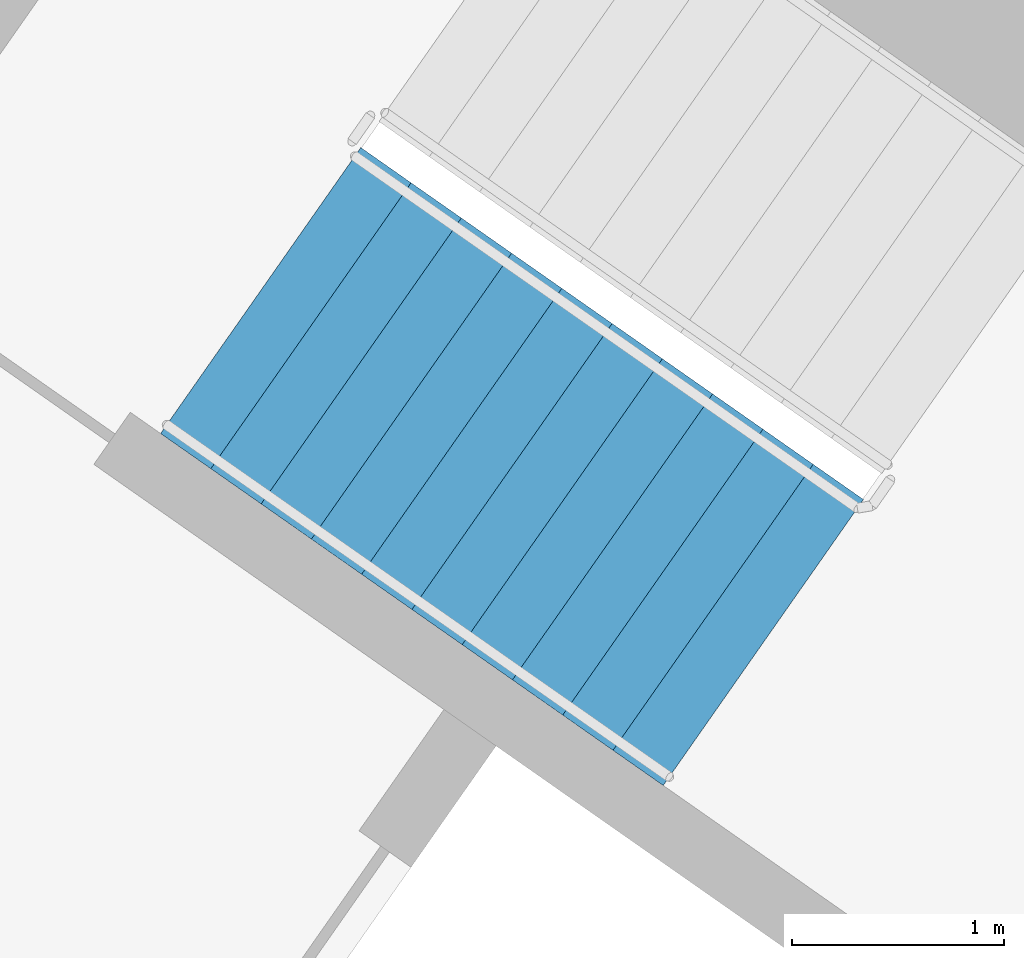
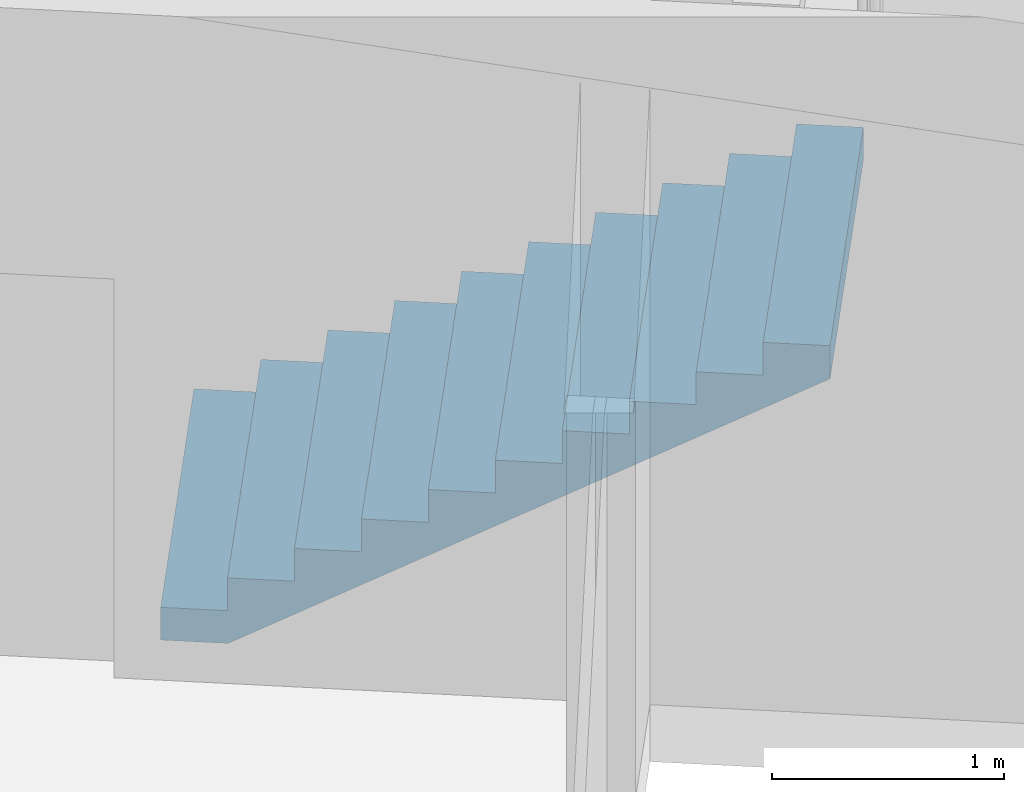
# One storey, part 12 of 30: 1 stair flight, 1 element without a shape of its own.
"""IFC4 building model written with IfcOpenShell, lengths in metres."""

from ifc_helpers import new_model, si_unit, direction, frame, origin, place, context, subcontext, project, spatial, faceted_brep, material, type_object, element, aggregate, save


model = new_model("IFC4")

# Units and contexts
model_context = context("Model", 3, precision=1e-05, world=origin(), true_north=direction((0.0, 1.0)))
body_context = subcontext(model_context, "Body", "Model", "MODEL_VIEW")
ifc_project = project(units=[si_unit("LENGTHUNIT", "METRE"), si_unit("AREAUNIT", "SQUARE_METRE"), si_unit("VOLUMEUNIT", "CUBIC_METRE"), si_unit("PLANEANGLEUNIT", "RADIAN"), si_unit("MASSUNIT", "GRAM", prefix="KILO")], contexts=[model_context])

# Site, building, storey
site_placement = place(None, origin())
site = spatial("IfcSite", under=ifc_project, at=site_placement, CompositionType="ELEMENT")
building_placement = place(site_placement, origin())
building = spatial("IfcBuilding", under=site, at=building_placement, Name="Qamariyya Broadcast Tower", CompositionType="ELEMENT")
storey_placement = place(building_placement, frame((0.0, 0.0, 117.699951171875)))
storey = spatial("IfcBuildingStorey", under=building, at=storey_placement, Name="L26", CompositionType="ELEMENT", Elevation=117.699951171875)

# Stair, stair flight
ifc_material = material(Name="Concrete C50/60", Category="concrete")
stair_type = type_object("IfcStairType", Name="Exit stair 22 risers of 173 mm", PredefinedType="HALF_TURN_STAIR", material=ifc_material)
stair_placement = place(storey_placement, origin())
stair = element("IfcStair", 1, at=stair_placement, inside=storey, type_object=stair_type, Name="L26 Stair W2", PredefinedType="HALF_TURN_STAIR")
stair_flight_type = type_object("IfcStairFlightType", Name="Exit stair flight 11 risers of 173 mm", PredefinedType="STRAIGHT", material=ifc_material)
stair_flight_placement = place(storey_placement, frame((-41.59130859375, -49.15966796875, 0.0), z_axis=(0.0, 0.0, 1.0), x_axis=(0.819152044289, -0.573576436351, 0.0)))
stair_flight = element("IfcStairFlight", 2, at=stair_flight_placement, type_object=stair_flight_type, Name="ST-W2 flight 1", NumberOfRisers=11, NumberOfTreads=10, PredefinedType="STRAIGHT", RiserHeight=0.172727273, TreadLength=0.29, context=body_context, shape_type="Brep", body=[
    faceted_brep([(0.0, 0.824951171875, 0.0), (0.0, 0.824951171875, 0.172607421875), (0.2900390625, 0.824951171875, 0.172607421875), (0.2900390625, 0.824951171875, 0.345458984375), (0.580078125, 0.824951171875, 0.345458984375), (0.580078125, 0.824951171875, 0.51806640625), (0.8701171875, 0.824951171875, 0.51806640625), (0.8701171875, 0.824951171875, 0.69091796875), (1.159912109375, 0.824951171875, 0.69091796875), (1.159912109375, 0.824951171875, 0.863525390625), (1.449951171875, 0.824951171875, 0.863525390625), (1.449951171875, 0.824951171875, 1.036376953125), (1.739990234375, 0.824951171875, 1.036376953125), (1.739990234375, 0.824951171875, 1.208984375), (2.030029296875, 0.824951171875, 1.208984375), (2.030029296875, 0.824951171875, 1.3818359375), (2.320068359375, 0.824951171875, 1.3818359375), (2.320068359375, 0.824951171875, 1.554443359375), (2.610107421875, 0.824951171875, 1.554443359375), (2.610107421875, 0.824951171875, 1.727294921875), (2.89990234375, 0.824951171875, 1.727294921875), (2.89990234375, 0.824951171875, 1.552734375), (0.29296875, 0.824951171875, 0.0), (0.29296875, -0.824951171875, 0.0), (2.89990234375, -0.824951171875, 1.552734375), (2.89990234375, -0.824951171875, 1.727294921875), (2.610107421875, -0.824951171875, 1.727294921875), (2.610107421875, -0.824951171875, 1.554443359375), (2.320068359375, -0.824951171875, 1.554443359375), (2.320068359375, -0.824951171875, 1.3818359375), (2.030029296875, -0.824951171875, 1.3818359375), (2.030029296875, -0.824951171875, 1.208984375), (1.739990234375, -0.824951171875, 1.208984375), (1.739990234375, -0.824951171875, 1.036376953125), (1.449951171875, -0.824951171875, 1.036376953125), (1.449951171875, -0.824951171875, 0.863525390625), (1.159912109375, -0.824951171875, 0.863525390625), (1.159912109375, -0.824951171875, 0.69091796875), (0.8701171875, -0.824951171875, 0.69091796875), (0.8701171875, -0.824951171875, 0.51806640625), (0.580078125, -0.824951171875, 0.51806640625), (0.580078125, -0.824951171875, 0.345458984375), (0.2900390625, -0.824951171875, 0.345458984375), (0.2900390625, -0.824951171875, 0.172607421875), (0.0, -0.824951171875, 0.172607421875), (0.0, -0.824951171875, 0.0), (0.0, 0.10009765625, 0.0), (0.0, 0.086669921875, 0.0), (0.0, 0.0732421875, 0.0), (0.0, 0.06005859375, 0.0), (0.0, 0.046630859375, 0.0), (0.0, 0.033447265625, 0.0), (0.0, 0.02001953125, 0.0), (0.0, 0.006591796875, 0.0), (0.0, -0.006591796875, 0.0), (0.0, -0.02001953125, 0.0), (0.0, -0.033447265625, 0.0), (0.0, -0.046630859375, 0.0), (0.0, -0.06005859375, 0.0), (0.0, -0.0732421875, 0.0), (0.0, -0.086669921875, 0.0), (0.0, -0.10009765625, 0.0), (0.0, -0.10009765625, 0.172607421875), (0.0, -0.086669921875, 0.172607421875), (0.0, -0.0732421875, 0.172607421875), (0.0, -0.06005859375, 0.172607421875), (0.0, -0.046630859375, 0.172607421875), (0.0, -0.033447265625, 0.172607421875), (0.0, -0.02001953125, 0.172607421875), (0.0, -0.006591796875, 0.172607421875), (0.0, 0.006591796875, 0.172607421875), (0.0, 0.02001953125, 0.172607421875), (0.0, 0.033447265625, 0.172607421875), (0.0, 0.046630859375, 0.172607421875), (0.0, 0.06005859375, 0.172607421875), (0.0, 0.0732421875, 0.172607421875), (0.0, 0.086669921875, 0.172607421875), (0.0, 0.10009765625, 0.172607421875), (0.2900390625, -0.10009765625, 0.172607421875), (0.2900390625, -0.086669921875, 0.172607421875), (0.2900390625, -0.0732421875, 0.172607421875), (0.2900390625, -0.06005859375, 0.172607421875), (0.2900390625, -0.046630859375, 0.172607421875), (0.2900390625, -0.033447265625, 0.172607421875), (0.2900390625, -0.02001953125, 0.172607421875), (0.2900390625, -0.006591796875, 0.172607421875), (0.2900390625, 0.006591796875, 0.172607421875), (0.2900390625, 0.02001953125, 0.172607421875), (0.2900390625, 0.033447265625, 0.172607421875), (0.2900390625, 0.046630859375, 0.172607421875), (0.2900390625, 0.06005859375, 0.172607421875), (0.2900390625, 0.0732421875, 0.172607421875), (0.2900390625, 0.086669921875, 0.172607421875), (0.2900390625, 0.10009765625, 0.172607421875), (0.2900390625, -0.10009765625, 0.345458984375), (0.2900390625, -0.086669921875, 0.345458984375), (0.2900390625, -0.0732421875, 0.345458984375), (0.2900390625, -0.06005859375, 0.345458984375), (0.2900390625, -0.046630859375, 0.345458984375), (0.2900390625, -0.033447265625, 0.345458984375), (0.2900390625, -0.02001953125, 0.345458984375), (0.2900390625, -0.006591796875, 0.345458984375), (0.2900390625, 0.006591796875, 0.345458984375), (0.2900390625, 0.02001953125, 0.345458984375), (0.2900390625, 0.033447265625, 0.345458984375), (0.2900390625, 0.046630859375, 0.345458984375), (0.2900390625, 0.06005859375, 0.345458984375), (0.2900390625, 0.0732421875, 0.345458984375), (0.2900390625, 0.086669921875, 0.345458984375), (0.2900390625, 0.10009765625, 0.345458984375), (0.580078125, -0.10009765625, 0.345458984375), (0.580078125, -0.086669921875, 0.345458984375), (0.580078125, -0.0732421875, 0.345458984375), (0.580078125, -0.06005859375, 0.345458984375), (0.580078125, -0.046630859375, 0.345458984375), (0.580078125, -0.033447265625, 0.345458984375), (0.580078125, -0.02001953125, 0.345458984375), (0.580078125, -0.006591796875, 0.345458984375), (0.580078125, 0.006591796875, 0.345458984375), (0.580078125, 0.02001953125, 0.345458984375), (0.580078125, 0.033447265625, 0.345458984375), (0.580078125, 0.046630859375, 0.345458984375), (0.580078125, 0.06005859375, 0.345458984375), (0.580078125, 0.0732421875, 0.345458984375), (0.580078125, 0.086669921875, 0.345458984375), (0.580078125, 0.10009765625, 0.345458984375), (0.580078125, -0.10009765625, 0.51806640625), (0.580078125, -0.086669921875, 0.51806640625), (0.580078125, -0.0732421875, 0.51806640625), (0.580078125, -0.06005859375, 0.51806640625), (0.580078125, -0.046630859375, 0.51806640625), (0.580078125, -0.033447265625, 0.51806640625), (0.580078125, -0.02001953125, 0.51806640625), (0.580078125, -0.006591796875, 0.51806640625), (0.580078125, 0.006591796875, 0.51806640625), (0.580078125, 0.02001953125, 0.51806640625), (0.580078125, 0.033447265625, 0.51806640625), (0.580078125, 0.046630859375, 0.51806640625), (0.580078125, 0.06005859375, 0.51806640625), (0.580078125, 0.0732421875, 0.51806640625), (0.580078125, 0.086669921875, 0.51806640625), (0.580078125, 0.10009765625, 0.51806640625), (0.8701171875, -0.10009765625, 0.51806640625), (0.8701171875, -0.086669921875, 0.51806640625), (0.8701171875, -0.0732421875, 0.51806640625), (0.8701171875, -0.06005859375, 0.51806640625), (0.8701171875, -0.046630859375, 0.51806640625), (0.8701171875, -0.033447265625, 0.51806640625), (0.8701171875, -0.02001953125, 0.51806640625), (0.8701171875, -0.006591796875, 0.51806640625), (0.8701171875, 0.006591796875, 0.51806640625), (0.8701171875, 0.02001953125, 0.51806640625), (0.8701171875, 0.033447265625, 0.51806640625), (0.8701171875, 0.046630859375, 0.51806640625), (0.8701171875, 0.06005859375, 0.51806640625), (0.8701171875, 0.0732421875, 0.51806640625), (0.8701171875, 0.086669921875, 0.51806640625), (0.8701171875, 0.10009765625, 0.51806640625), (0.8701171875, -0.10009765625, 0.69091796875), (0.8701171875, -0.086669921875, 0.69091796875), (0.8701171875, -0.0732421875, 0.69091796875), (0.8701171875, -0.06005859375, 0.69091796875), (0.8701171875, -0.046630859375, 0.69091796875), (0.8701171875, -0.033447265625, 0.69091796875), (0.8701171875, -0.02001953125, 0.69091796875), (0.8701171875, -0.006591796875, 0.69091796875), (0.8701171875, 0.006591796875, 0.69091796875), (0.8701171875, 0.02001953125, 0.69091796875), (0.8701171875, 0.033447265625, 0.69091796875), (0.8701171875, 0.046630859375, 0.69091796875), (0.8701171875, 0.06005859375, 0.69091796875), (0.8701171875, 0.0732421875, 0.69091796875), (0.8701171875, 0.086669921875, 0.69091796875), (0.8701171875, 0.10009765625, 0.69091796875), (1.159912109375, -0.10009765625, 0.69091796875), (1.159912109375, -0.086669921875, 0.69091796875), (1.159912109375, -0.0732421875, 0.69091796875), (1.159912109375, -0.06005859375, 0.69091796875), (1.159912109375, -0.046630859375, 0.69091796875), (1.159912109375, -0.033447265625, 0.69091796875), (1.159912109375, -0.02001953125, 0.69091796875), (1.159912109375, -0.006591796875, 0.69091796875), (1.159912109375, 0.006591796875, 0.69091796875), (1.159912109375, 0.02001953125, 0.69091796875), (1.159912109375, 0.033447265625, 0.69091796875), (1.159912109375, 0.046630859375, 0.69091796875), (1.159912109375, 0.06005859375, 0.69091796875), (1.159912109375, 0.0732421875, 0.69091796875), (1.159912109375, 0.086669921875, 0.69091796875), (1.159912109375, 0.10009765625, 0.69091796875), (1.159912109375, -0.10009765625, 0.863525390625), (1.159912109375, -0.086669921875, 0.863525390625), (1.159912109375, -0.0732421875, 0.863525390625), (1.159912109375, -0.06005859375, 0.863525390625), (1.159912109375, -0.046630859375, 0.863525390625), (1.159912109375, -0.033447265625, 0.863525390625), (1.159912109375, -0.02001953125, 0.863525390625), (1.159912109375, -0.006591796875, 0.863525390625), (1.159912109375, 0.006591796875, 0.863525390625), (1.159912109375, 0.02001953125, 0.863525390625), (1.159912109375, 0.033447265625, 0.863525390625), (1.159912109375, 0.046630859375, 0.863525390625), (1.159912109375, 0.06005859375, 0.863525390625), (1.159912109375, 0.0732421875, 0.863525390625), (1.159912109375, 0.086669921875, 0.863525390625), (1.159912109375, 0.10009765625, 0.863525390625), (1.449951171875, -0.10009765625, 0.863525390625), (1.449951171875, -0.086669921875, 0.863525390625), (1.449951171875, -0.0732421875, 0.863525390625), (1.449951171875, -0.06005859375, 0.863525390625), (1.449951171875, -0.046630859375, 0.863525390625), (1.449951171875, -0.033447265625, 0.863525390625), (1.449951171875, -0.02001953125, 0.863525390625), (1.449951171875, -0.006591796875, 0.863525390625), (1.449951171875, 0.006591796875, 0.863525390625), (1.449951171875, 0.02001953125, 0.863525390625), (1.449951171875, 0.033447265625, 0.863525390625), (1.449951171875, 0.046630859375, 0.863525390625), (1.449951171875, 0.06005859375, 0.863525390625), (1.449951171875, 0.0732421875, 0.863525390625), (1.449951171875, 0.086669921875, 0.863525390625), (1.449951171875, 0.10009765625, 0.863525390625), (1.449951171875, -0.10009765625, 1.036376953125), (1.449951171875, -0.086669921875, 1.036376953125), (1.449951171875, -0.0732421875, 1.036376953125), (1.449951171875, -0.06005859375, 1.036376953125), (1.449951171875, -0.046630859375, 1.036376953125), (1.449951171875, -0.033447265625, 1.036376953125), (1.449951171875, -0.02001953125, 1.036376953125), (1.449951171875, -0.006591796875, 1.036376953125), (1.449951171875, 0.006591796875, 1.036376953125), (1.449951171875, 0.02001953125, 1.036376953125), (1.449951171875, 0.033447265625, 1.036376953125), (1.449951171875, 0.046630859375, 1.036376953125), (1.449951171875, 0.06005859375, 1.036376953125), (1.449951171875, 0.0732421875, 1.036376953125), (1.449951171875, 0.086669921875, 1.036376953125), (1.449951171875, 0.10009765625, 1.036376953125), (1.739990234375, -0.10009765625, 1.036376953125), (1.739990234375, -0.086669921875, 1.036376953125), (1.739990234375, -0.0732421875, 1.036376953125), (1.739990234375, -0.06005859375, 1.036376953125), (1.739990234375, -0.046630859375, 1.036376953125), (1.739990234375, -0.033447265625, 1.036376953125), (1.739990234375, -0.02001953125, 1.036376953125), (1.739990234375, -0.006591796875, 1.036376953125), (1.739990234375, 0.006591796875, 1.036376953125), (1.739990234375, 0.02001953125, 1.036376953125), (1.739990234375, 0.033447265625, 1.036376953125), (1.739990234375, 0.046630859375, 1.036376953125), (1.739990234375, 0.06005859375, 1.036376953125), (1.739990234375, 0.0732421875, 1.036376953125), (1.739990234375, 0.086669921875, 1.036376953125), (1.739990234375, 0.10009765625, 1.036376953125), (1.739990234375, -0.10009765625, 1.208984375), (1.739990234375, -0.086669921875, 1.208984375), (1.739990234375, -0.0732421875, 1.208984375), (1.739990234375, -0.06005859375, 1.208984375), (1.739990234375, -0.046630859375, 1.208984375), (1.739990234375, -0.033447265625, 1.208984375), (1.739990234375, -0.02001953125, 1.208984375), (1.739990234375, -0.006591796875, 1.208984375), (1.739990234375, 0.006591796875, 1.208984375), (1.739990234375, 0.02001953125, 1.208984375), (1.739990234375, 0.033447265625, 1.208984375), (1.739990234375, 0.046630859375, 1.208984375), (1.739990234375, 0.06005859375, 1.208984375), (1.739990234375, 0.0732421875, 1.208984375), (1.739990234375, 0.086669921875, 1.208984375), (1.739990234375, 0.10009765625, 1.208984375), (2.030029296875, -0.10009765625, 1.208984375), (2.030029296875, -0.086669921875, 1.208984375), (2.030029296875, -0.0732421875, 1.208984375), (2.030029296875, -0.06005859375, 1.208984375), (2.030029296875, -0.046630859375, 1.208984375), (2.030029296875, -0.033447265625, 1.208984375), (2.030029296875, -0.02001953125, 1.208984375), (2.030029296875, -0.006591796875, 1.208984375), (2.030029296875, 0.006591796875, 1.208984375), (2.030029296875, 0.02001953125, 1.208984375), (2.030029296875, 0.033447265625, 1.208984375), (2.030029296875, 0.046630859375, 1.208984375), (2.030029296875, 0.06005859375, 1.208984375), (2.030029296875, 0.0732421875, 1.208984375), (2.030029296875, 0.086669921875, 1.208984375), (2.030029296875, 0.10009765625, 1.208984375), (2.030029296875, -0.10009765625, 1.3818359375), (2.030029296875, -0.086669921875, 1.3818359375), (2.030029296875, -0.0732421875, 1.3818359375), (2.030029296875, -0.06005859375, 1.3818359375), (2.030029296875, -0.046630859375, 1.3818359375), (2.030029296875, -0.033447265625, 1.3818359375), (2.030029296875, -0.02001953125, 1.3818359375), (2.030029296875, -0.006591796875, 1.3818359375), (2.030029296875, 0.006591796875, 1.3818359375), (2.030029296875, 0.02001953125, 1.3818359375), (2.030029296875, 0.033447265625, 1.3818359375), (2.030029296875, 0.046630859375, 1.3818359375), (2.030029296875, 0.06005859375, 1.3818359375), (2.030029296875, 0.0732421875, 1.3818359375), (2.030029296875, 0.086669921875, 1.3818359375), (2.030029296875, 0.10009765625, 1.3818359375), (2.320068359375, -0.10009765625, 1.3818359375), (2.320068359375, -0.086669921875, 1.3818359375), (2.320068359375, -0.0732421875, 1.3818359375), (2.320068359375, -0.06005859375, 1.3818359375), (2.320068359375, -0.046630859375, 1.3818359375), (2.320068359375, -0.033447265625, 1.3818359375), (2.320068359375, -0.02001953125, 1.3818359375), (2.320068359375, -0.006591796875, 1.3818359375), (2.320068359375, 0.006591796875, 1.3818359375), (2.320068359375, 0.02001953125, 1.3818359375), (2.320068359375, 0.033447265625, 1.3818359375), (2.320068359375, 0.046630859375, 1.3818359375), (2.320068359375, 0.06005859375, 1.3818359375), (2.320068359375, 0.0732421875, 1.3818359375), (2.320068359375, 0.086669921875, 1.3818359375), (2.320068359375, 0.10009765625, 1.3818359375), (2.320068359375, -0.10009765625, 1.554443359375), (2.320068359375, -0.086669921875, 1.554443359375), (2.320068359375, -0.0732421875, 1.554443359375), (2.320068359375, -0.06005859375, 1.554443359375), (2.320068359375, -0.046630859375, 1.554443359375), (2.320068359375, -0.033447265625, 1.554443359375), (2.320068359375, -0.02001953125, 1.554443359375), (2.320068359375, -0.006591796875, 1.554443359375), (2.320068359375, 0.006591796875, 1.554443359375), (2.320068359375, 0.02001953125, 1.554443359375), (2.320068359375, 0.033447265625, 1.554443359375), (2.320068359375, 0.046630859375, 1.554443359375), (2.320068359375, 0.06005859375, 1.554443359375), (2.320068359375, 0.0732421875, 1.554443359375), (2.320068359375, 0.086669921875, 1.554443359375), (2.320068359375, 0.10009765625, 1.554443359375), (2.610107421875, -0.10009765625, 1.554443359375), (2.610107421875, -0.086669921875, 1.554443359375), (2.610107421875, -0.0732421875, 1.554443359375), (2.610107421875, -0.06005859375, 1.554443359375), (2.610107421875, -0.046630859375, 1.554443359375), (2.610107421875, -0.033447265625, 1.554443359375), (2.610107421875, -0.02001953125, 1.554443359375), (2.610107421875, -0.006591796875, 1.554443359375), (2.610107421875, 0.006591796875, 1.554443359375), (2.610107421875, 0.02001953125, 1.554443359375), (2.610107421875, 0.033447265625, 1.554443359375), (2.610107421875, 0.046630859375, 1.554443359375), (2.610107421875, 0.06005859375, 1.554443359375), (2.610107421875, 0.0732421875, 1.554443359375), (2.610107421875, 0.086669921875, 1.554443359375), (2.610107421875, 0.10009765625, 1.554443359375), (2.610107421875, -0.10009765625, 1.727294921875), (2.610107421875, -0.086669921875, 1.727294921875), (2.610107421875, -0.0732421875, 1.727294921875), (2.610107421875, -0.06005859375, 1.727294921875), (2.610107421875, -0.046630859375, 1.727294921875), (2.610107421875, -0.033447265625, 1.727294921875), (2.610107421875, -0.02001953125, 1.727294921875), (2.610107421875, -0.006591796875, 1.727294921875), (2.610107421875, 0.006591796875, 1.727294921875), (2.610107421875, 0.02001953125, 1.727294921875), (2.610107421875, 0.033447265625, 1.727294921875), (2.610107421875, 0.046630859375, 1.727294921875), (2.610107421875, 0.06005859375, 1.727294921875), (2.610107421875, 0.0732421875, 1.727294921875), (2.610107421875, 0.086669921875, 1.727294921875), (2.610107421875, 0.10009765625, 1.727294921875), (2.89990234375, -0.10009765625, 1.727294921875), (2.89990234375, -0.086669921875, 1.727294921875), (2.89990234375, -0.0732421875, 1.727294921875), (2.89990234375, -0.06005859375, 1.727294921875), (2.89990234375, -0.046630859375, 1.727294921875), (2.89990234375, -0.033447265625, 1.727294921875), (2.89990234375, -0.02001953125, 1.727294921875), (2.89990234375, -0.006591796875, 1.727294921875), (2.89990234375, 0.006591796875, 1.727294921875), (2.89990234375, 0.02001953125, 1.727294921875), (2.89990234375, 0.033447265625, 1.727294921875), (2.89990234375, 0.046630859375, 1.727294921875), (2.89990234375, 0.06005859375, 1.727294921875), (2.89990234375, 0.0732421875, 1.727294921875), (2.89990234375, 0.086669921875, 1.727294921875), (2.89990234375, 0.10009765625, 1.727294921875), (2.89990234375, -0.10009765625, 1.552734375), (2.89990234375, -0.086669921875, 1.552734375), (2.89990234375, -0.0732421875, 1.552734375), (2.89990234375, -0.06005859375, 1.552734375), (2.89990234375, -0.046630859375, 1.552734375), (2.89990234375, -0.033447265625, 1.552734375), (2.89990234375, -0.02001953125, 1.552734375), (2.89990234375, -0.006591796875, 1.552734375), (2.89990234375, 0.006591796875, 1.552734375), (2.89990234375, 0.02001953125, 1.552734375), (2.89990234375, 0.033447265625, 1.552734375), (2.89990234375, 0.046630859375, 1.552734375), (2.89990234375, 0.06005859375, 1.552734375), (2.89990234375, 0.0732421875, 1.552734375), (2.89990234375, 0.086669921875, 1.552734375), (2.89990234375, 0.10009765625, 1.552734375), (0.29296875, -0.10009765625, 0.0), (0.29296875, -0.086669921875, 0.0), (0.29296875, -0.0732421875, 0.0), (0.29296875, -0.06005859375, 0.0), (0.29296875, -0.046630859375, 0.0), (0.29296875, -0.033447265625, 0.0), (0.29296875, -0.02001953125, 0.0), (0.29296875, -0.006591796875, 0.0), (0.29296875, 0.006591796875, 0.0), (0.29296875, 0.02001953125, 0.0), (0.29296875, 0.033447265625, 0.0), (0.29296875, 0.046630859375, 0.0), (0.29296875, 0.06005859375, 0.0), (0.29296875, 0.0732421875, 0.0), (0.29296875, 0.086669921875, 0.0), (0.29296875, 0.10009765625, 0.0)], [[[0, 1, 2, 3, 4, 5, 6, 7, 8, 9, 10, 11, 12, 13, 14, 15, 16, 17, 18, 19, 20, 21, 22]], [[23, 24, 25, 26, 27, 28, 29, 30, 31, 32, 33, 34, 35, 36, 37, 38, 39, 40, 41, 42, 43, 44, 45]], [[0, 46, 47, 48, 49, 50, 51, 52, 53, 54, 55, 56, 57, 58, 59, 60, 61, 45, 44, 62, 63, 64, 65, 66, 67, 68, 69, 70, 71, 72, 73, 74, 75, 76, 77, 1]], [[1, 77, 76, 75, 74, 73, 72, 71, 70, 69, 68, 67, 66, 65, 64, 63, 62, 44, 43, 78, 79, 80, 81, 82, 83, 84, 85, 86, 87, 88, 89, 90, 91, 92, 93, 2]], [[2, 93, 92, 91, 90, 89, 88, 87, 86, 85, 84, 83, 82, 81, 80, 79, 78, 43, 42, 94, 95, 96, 97, 98, 99, 100, 101, 102, 103, 104, 105, 106, 107, 108, 109, 3]], [[3, 109, 108, 107, 106, 105, 104, 103, 102, 101, 100, 99, 98, 97, 96, 95, 94, 42, 41, 110, 111, 112, 113, 114, 115, 116, 117, 118, 119, 120, 121, 122, 123, 124, 125, 4]], [[4, 125, 124, 123, 122, 121, 120, 119, 118, 117, 116, 115, 114, 113, 112, 111, 110, 41, 40, 126, 127, 128, 129, 130, 131, 132, 133, 134, 135, 136, 137, 138, 139, 140, 141, 5]], [[5, 141, 140, 139, 138, 137, 136, 135, 134, 133, 132, 131, 130, 129, 128, 127, 126, 40, 39, 142, 143, 144, 145, 146, 147, 148, 149, 150, 151, 152, 153, 154, 155, 156, 157, 6]], [[6, 157, 156, 155, 154, 153, 152, 151, 150, 149, 148, 147, 146, 145, 144, 143, 142, 39, 38, 158, 159, 160, 161, 162, 163, 164, 165, 166, 167, 168, 169, 170, 171, 172, 173, 7]], [[7, 173, 172, 171, 170, 169, 168, 167, 166, 165, 164, 163, 162, 161, 160, 159, 158, 38, 37, 174, 175, 176, 177, 178, 179, 180, 181, 182, 183, 184, 185, 186, 187, 188, 189, 8]], [[8, 189, 188, 187, 186, 185, 184, 183, 182, 181, 180, 179, 178, 177, 176, 175, 174, 37, 36, 190, 191, 192, 193, 194, 195, 196, 197, 198, 199, 200, 201, 202, 203, 204, 205, 9]], [[9, 205, 204, 203, 202, 201, 200, 199, 198, 197, 196, 195, 194, 193, 192, 191, 190, 36, 35, 206, 207, 208, 209, 210, 211, 212, 213, 214, 215, 216, 217, 218, 219, 220, 221, 10]], [[10, 221, 220, 219, 218, 217, 216, 215, 214, 213, 212, 211, 210, 209, 208, 207, 206, 35, 34, 222, 223, 224, 225, 226, 227, 228, 229, 230, 231, 232, 233, 234, 235, 236, 237, 11]], [[11, 237, 236, 235, 234, 233, 232, 231, 230, 229, 228, 227, 226, 225, 224, 223, 222, 34, 33, 238, 239, 240, 241, 242, 243, 244, 245, 246, 247, 248, 249, 250, 251, 252, 253, 12]], [[12, 253, 252, 251, 250, 249, 248, 247, 246, 245, 244, 243, 242, 241, 240, 239, 238, 33, 32, 254, 255, 256, 257, 258, 259, 260, 261, 262, 263, 264, 265, 266, 267, 268, 269, 13]], [[13, 269, 268, 267, 266, 265, 264, 263, 262, 261, 260, 259, 258, 257, 256, 255, 254, 32, 31, 270, 271, 272, 273, 274, 275, 276, 277, 278, 279, 280, 281, 282, 283, 284, 285, 14]], [[14, 285, 284, 283, 282, 281, 280, 279, 278, 277, 276, 275, 274, 273, 272, 271, 270, 31, 30, 286, 287, 288, 289, 290, 291, 292, 293, 294, 295, 296, 297, 298, 299, 300, 301, 15]], [[15, 301, 300, 299, 298, 297, 296, 295, 294, 293, 292, 291, 290, 289, 288, 287, 286, 30, 29, 302, 303, 304, 305, 306, 307, 308, 309, 310, 311, 312, 313, 314, 315, 316, 317, 16]], [[16, 317, 316, 315, 314, 313, 312, 311, 310, 309, 308, 307, 306, 305, 304, 303, 302, 29, 28, 318, 319, 320, 321, 322, 323, 324, 325, 326, 327, 328, 329, 330, 331, 332, 333, 17]], [[17, 333, 332, 331, 330, 329, 328, 327, 326, 325, 324, 323, 322, 321, 320, 319, 318, 28, 27, 334, 335, 336, 337, 338, 339, 340, 341, 342, 343, 344, 345, 346, 347, 348, 349, 18]], [[18, 349, 348, 347, 346, 345, 344, 343, 342, 341, 340, 339, 338, 337, 336, 335, 334, 27, 26, 350, 351, 352, 353, 354, 355, 356, 357, 358, 359, 360, 361, 362, 363, 364, 365, 19]], [[19, 365, 364, 363, 362, 361, 360, 359, 358, 357, 356, 355, 354, 353, 352, 351, 350, 26, 25, 366, 367, 368, 369, 370, 371, 372, 373, 374, 375, 376, 377, 378, 379, 380, 381, 20]], [[20, 381, 380, 379, 378, 377, 376, 375, 374, 373, 372, 371, 370, 369, 368, 367, 366, 25, 24, 382, 383, 384, 385, 386, 387, 388, 389, 390, 391, 392, 393, 394, 395, 396, 397, 21]], [[21, 397, 396, 395, 394, 393, 392, 391, 390, 389, 388, 387, 386, 385, 384, 383, 382, 24, 23, 398, 399, 400, 401, 402, 403, 404, 405, 406, 407, 408, 409, 410, 411, 412, 413, 22]], [[22, 413, 412, 411, 410, 409, 408, 407, 406, 405, 404, 403, 402, 401, 400, 399, 398, 23, 45, 61, 60, 59, 58, 57, 56, 55, 54, 53, 52, 51, 50, 49, 48, 47, 46, 0]]]),
])
aggregate(stair, [stair_flight])

save(model, "model.ifc")
